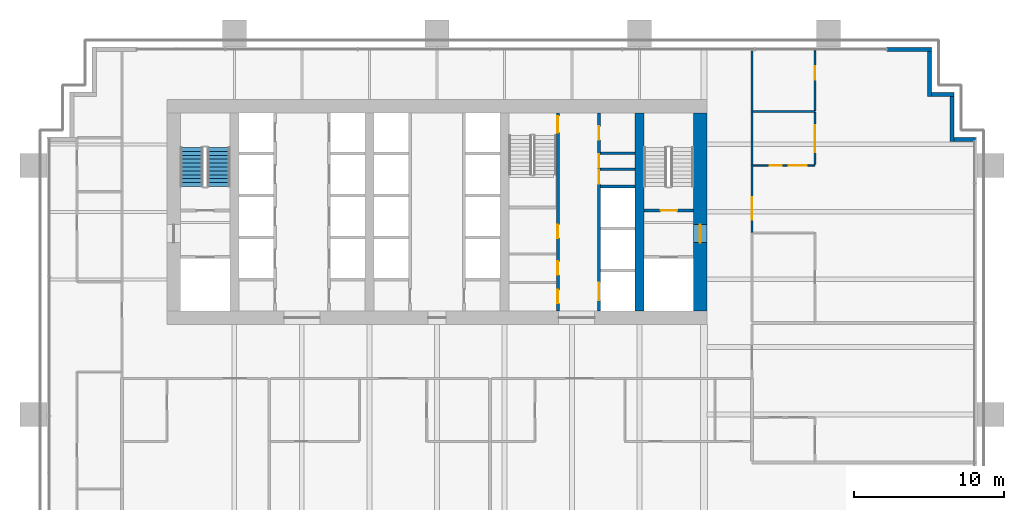
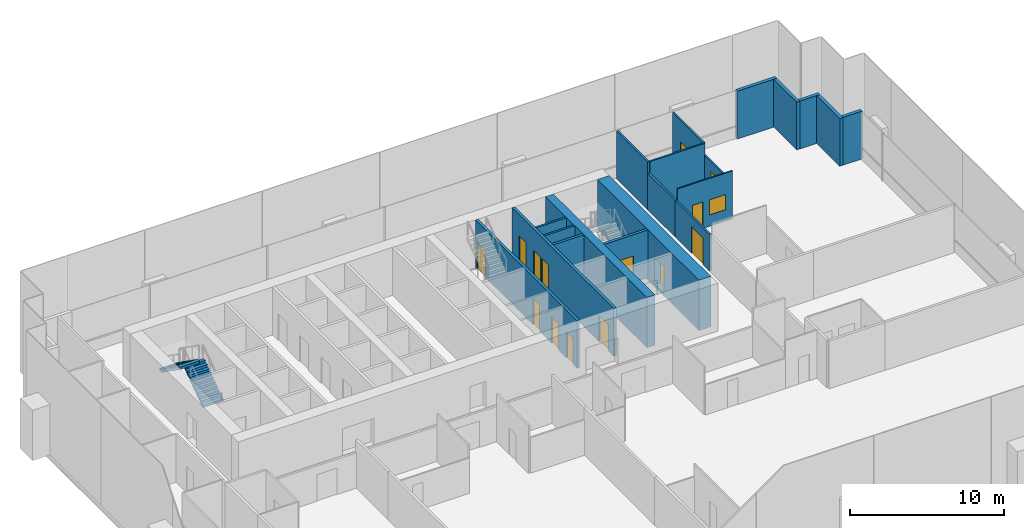
# One storey, part 15 of 19: 20 walls, 13 doors, 2 stair flights, 2 windows, 15 openings, 1 element without a shape of its own.
"""IFC4 building model written with IfcOpenShell, lengths in metres."""

from ifc_helpers import new_model, si_unit, direction, frame, frame_2d, origin, place, context, subcontext, project, spatial, polyline, rectangle, outline, extrude, material, layer, layer_set, type_object, element, fill, aggregate, save


model = new_model("IFC4")

# Units and contexts
model_context = context("Model", 3, precision=1e-05, world=origin(), true_north=direction((0.0, 1.0)))
body_context = subcontext(model_context, "Body", "Model", "MODEL_VIEW")
ifc_project = project(units=[si_unit("LENGTHUNIT", "METRE"), si_unit("AREAUNIT", "SQUARE_METRE"), si_unit("VOLUMEUNIT", "CUBIC_METRE"), si_unit("PLANEANGLEUNIT", "RADIAN"), si_unit("MASSUNIT", "GRAM", prefix="KILO")], contexts=[model_context])

# Site, building, storey
site_placement = place(None, origin())
site = spatial("IfcSite", under=ifc_project, at=site_placement, CompositionType="ELEMENT")
building_placement = place(site_placement, origin())
building = spatial("IfcBuilding", under=site, at=building_placement, Name="Rattan Terrace Tower", CompositionType="ELEMENT")
storey_placement = place(building_placement, frame((0.0, 0.0, 79.699951171875)))
storey = spatial("IfcBuildingStorey", under=building, at=storey_placement, Name="L17", CompositionType="ELEMENT", Elevation=79.699951171875)

# Walls
ifc_material_1 = material(Name="Gypsum board partition")
ifc_layer_1 = layer(ifc_material_1, 0.14990234375)
ifc_layer_set_1 = layer_set([ifc_layer_1], Name="Core partition 150")
wall_type_1 = type_object("IfcWallType", Name="Core partition 150", PredefinedType="PARTITIONING", material=ifc_layer_set_1)
for number, where, z_axis, x_axis, name in (
    (1, (10.89990234375, 2.85595703125, 0.0), (0.0, 0.0, 1.0), (1.0, 0.0, 0.0), "Riser room wall"),
    (2, (10.89990234375, 3.912109375, 0.0), (0.0, 0.0, 1.0), (1.0, 0.0, 0.0), "Riser room wall"),
):
    element("IfcWall", number, at=place(storey_placement, frame(where, z_axis=z_axis, x_axis=x_axis)), inside=storey, type_object=wall_type_1, Name=name, PredefinedType="PARTITIONING", context=body_context, shape_type="SweptSolid", body=[
        extrude(rectangle(XDim=2.300048828125, YDim=0.14990234375, at=frame_2d((1.14990234375, 0.0))), origin(), (0.0, 0.0, 1.0), 3.800048828125),
    ])

# Wall, opening, door
ifc_material_2 = material(Name="Gypsum board partition")
ifc_layer_2 = layer(ifc_material_2, 0.199951171875)
ifc_layer_set_2 = layer_set([ifc_layer_2], Name="Core partition 200")
wall_type_2 = type_object("IfcWallType", Name="Core partition 200", PredefinedType="PARTITIONING", material=ifc_layer_set_2)
wall_1_placement = place(storey_placement, frame((13.800048828125, 0.10009765625, 0.0), z_axis=(0.0, 0.0, 1.0), x_axis=(1.0, 0.0, 0.0)))
wall_1 = element("IfcWall", 3, at=wall_1_placement, inside=storey, type_object=wall_type_2, Name="Stair enclosure wall", PredefinedType="PARTITIONING", context=body_context, shape_type="SweptSolid", body=[
    extrude(rectangle(XDim=3.300048828125, YDim=0.199951171875, at=frame_2d((1.64990234375, 0.0))), origin(), (0.0, 0.0, 1.0), 3.800048828125),
])
opening_1_placement = place(wall_1_placement, frame((1.10009765625, 0.0, 0.0)))
opening_1 = element("IfcOpeningElement", 4, at=opening_1_placement, cuts=wall_1, Name="Opening L17-D004", PredefinedType="OPENING", context=body_context, shape_type="SweptSolid", body=[
    extrude(rectangle(XDim=1.10009765625, YDim=2.10009765625, at=frame_2d((0.550048828125, 1.050048828125))), frame((0.0, 0.110595703125, 0.0), z_axis=(0.0, -1.0, 0.0), x_axis=(1.0, 0.0, 0.0)), (0.0, 0.0, 1.0), 0.220947265625),
])
ifc_material_3 = material(Name="Hollow-metal fire door leaf")
door_type_1 = type_object("IfcDoorType", Name="Core stair door 1100", OperationType="NOTDEFINED", PredefinedType="DOOR", material=ifc_material_3)
door_1_placement = place(opening_1_placement, origin())
door_1 = element("IfcDoor", 5, at=door_1_placement, inside=storey, type_object=door_type_1, Name="Door L17-D004", OperationType="SINGLE_SWING_LEFT", OverallHeight=2.10009765625, OverallWidth=1.10009765625, PredefinedType="DOOR", context=body_context, shape_type="SweptSolid", body=[
    extrude(rectangle(XDim=1.10009765625, YDim=2.10009765625, at=frame_2d((0.550048828125, 1.050048828125))), frame((0.0, 0.02490234375, 0.0), z_axis=(0.0, -1.0, 0.0), x_axis=(1.0, 0.0, 0.0)), (0.0, 0.0, 1.0), 0.050048828125),
])
fill(opening_1, door_1)

# Wall, openings, doors
wall_2_placement = place(storey_placement, frame((8.050048828125, -6.60009765625, 0.0), z_axis=(0.0, 0.0, 1.0), x_axis=(0.0, 1.0, 0.0)))
wall_2 = element("IfcWall", 6, at=wall_2_placement, inside=storey, type_object=wall_type_2, Name="Lobby wall west", PredefinedType="PARTITIONING", context=body_context, shape_type="SweptSolid", body=[
    extrude(rectangle(XDim=13.2001953125, YDim=0.199951171875, at=frame_2d((6.60009765625, 0.0))), origin(), (0.0, 0.0, 1.0), 3.800048828125),
])
opening_2_placement = place(wall_2_placement, frame((0.501953125, 0.0, 0.0)))
opening_2 = element("IfcOpeningElement", 7, at=opening_2_placement, cuts=wall_2, Name="Opening L17-D011", PredefinedType="OPENING", context=body_context, shape_type="SweptSolid", body=[
    extrude(rectangle(XDim=0.89990234375, YDim=2.10009765625, at=frame_2d((0.449951171875, 1.050048828125))), frame((0.0, 0.110595703125, 0.0), z_axis=(0.0, -1.0, 0.0), x_axis=(1.0, 0.0, 0.0)), (0.0, 0.0, 1.0), 0.220947265625),
])
opening_3_placement = place(wall_2_placement, frame((2.406005859375, 0.0, 0.0)))
opening_3 = element("IfcOpeningElement", 8, at=opening_3_placement, cuts=wall_2, Name="Opening L17-D012", PredefinedType="OPENING", context=body_context, shape_type="SweptSolid", body=[
    extrude(rectangle(XDim=0.89990234375, YDim=2.10009765625, at=frame_2d((0.449951171875, 1.050048828125))), frame((0.0, 0.110595703125, 0.0), z_axis=(0.0, -1.0, 0.0), x_axis=(1.0, 0.0, 0.0)), (0.0, 0.0, 1.0), 0.220947265625),
])
opening_4_placement = place(wall_2_placement, frame((4.85400390625, 0.0, 0.0)))
opening_4 = element("IfcOpeningElement", 9, at=opening_4_placement, cuts=wall_2, Name="Opening L17-D013", PredefinedType="OPENING", context=body_context, shape_type="SweptSolid", body=[
    extrude(rectangle(XDim=0.89990234375, YDim=2.10009765625, at=frame_2d((0.449951171875, 1.050048828125))), frame((0.0, 0.110595703125, 0.0), z_axis=(0.0, -1.0, 0.0), x_axis=(1.0, 0.0, 0.0)), (0.0, 0.0, 1.0), 0.220947265625),
])
opening_5_placement = place(wall_2_placement, frame((11.89990234375, 0.0, 0.0)))
opening_5 = element("IfcOpeningElement", 10, at=opening_5_placement, cuts=wall_2, Name="Opening L17-D014", PredefinedType="OPENING", context=body_context, shape_type="SweptSolid", body=[
    extrude(rectangle(XDim=1.10009765625, YDim=2.10009765625, at=frame_2d((0.550048828125, 1.050048828125))), frame((0.0, 0.110595703125, 0.0), z_axis=(0.0, -1.0, 0.0), x_axis=(1.0, 0.0, 0.0)), (0.0, 0.0, 1.0), 0.220947265625),
])
door_2_placement = place(opening_5_placement, origin())
door_2 = element("IfcDoor", 11, at=door_2_placement, inside=storey, type_object=door_type_1, Name="Door L17-D014", OperationType="SINGLE_SWING_RIGHT", OverallHeight=2.10009765625, OverallWidth=1.10009765625, PredefinedType="DOOR", context=body_context, shape_type="SweptSolid", body=[
    extrude(rectangle(XDim=1.10009765625, YDim=2.10009765625, at=frame_2d((0.550048828125, 1.050048828125))), frame((0.0, 0.02490234375, 0.0), z_axis=(0.0, -1.0, 0.0), x_axis=(1.0, 0.0, 0.0)), (0.0, 0.0, 1.0), 0.050048828125),
])
fill(opening_5, door_2)
ifc_material_4 = material(Name="Hollow-metal fire door leaf")
door_type_2 = type_object("IfcDoorType", Name="Core toilet door 900", OperationType="NOTDEFINED", PredefinedType="DOOR", material=ifc_material_4)
door_3_placement = place(opening_2_placement, origin())
door_3 = element("IfcDoor", 12, at=door_3_placement, inside=storey, type_object=door_type_2, Name="Door L17-D011", OperationType="SINGLE_SWING_LEFT", OverallHeight=2.10009765625, OverallWidth=0.89990234375, PredefinedType="DOOR", context=body_context, shape_type="SweptSolid", body=[
    extrude(rectangle(XDim=0.89990234375, YDim=2.10009765625, at=frame_2d((0.449951171875, 1.050048828125))), frame((0.0, 0.02490234375, 0.0), z_axis=(0.0, -1.0, 0.0), x_axis=(1.0, 0.0, 0.0)), (0.0, 0.0, 1.0), 0.050048828125),
])
fill(opening_2, door_3)
door_4_placement = place(opening_3_placement, origin())
door_4 = element("IfcDoor", 13, at=door_4_placement, inside=storey, type_object=door_type_2, Name="Door L17-D012", OperationType="SINGLE_SWING_RIGHT", OverallHeight=2.10009765625, OverallWidth=0.89990234375, PredefinedType="DOOR", context=body_context, shape_type="SweptSolid", body=[
    extrude(rectangle(XDim=0.89990234375, YDim=2.10009765625, at=frame_2d((0.449951171875, 1.050048828125))), frame((0.0, 0.02490234375, 0.0), z_axis=(0.0, -1.0, 0.0), x_axis=(1.0, 0.0, 0.0)), (0.0, 0.0, 1.0), 0.050048828125),
])
fill(opening_3, door_4)
door_5_placement = place(opening_4_placement, origin())
door_5 = element("IfcDoor", 14, at=door_5_placement, inside=storey, type_object=door_type_2, Name="Door L17-D013", OperationType="SINGLE_SWING_LEFT", OverallHeight=2.10009765625, OverallWidth=0.89990234375, PredefinedType="DOOR", context=body_context, shape_type="SweptSolid", body=[
    extrude(rectangle(XDim=0.89990234375, YDim=2.10009765625, at=frame_2d((0.449951171875, 1.050048828125))), frame((0.0, 0.02490234375, 0.0), z_axis=(0.0, -1.0, 0.0), x_axis=(1.0, 0.0, 0.0)), (0.0, 0.0, 1.0), 0.050048828125),
])
fill(opening_4, door_5)

# Wall, opening, door
ifc_material_5 = material(Name="Concrete C70/85", Category="concrete")
ifc_layer_3 = layer(ifc_material_5, 0.89990234375)
ifc_layer_set_3 = layer_set([ifc_layer_3], Name="Core ring wall 900 C70/85")
wall_type_3 = type_object("IfcWallType", Name="Core ring wall 900 C70/85", PredefinedType="SHEAR", material=ifc_layer_set_3)
wall_3_placement = place(storey_placement, frame((17.550048828125, -6.60009765625, -0.199951171875), z_axis=(0.0, 0.0, 1.0), x_axis=(0.0, 1.0, 0.0)))
wall_3 = element("IfcWall", 15, at=wall_3_placement, inside=storey, type_object=wall_type_3, Name="Rear core wall east", PredefinedType="SHEAR", context=body_context, shape_type="SweptSolid", body=[
    extrude(rectangle(XDim=13.2001953125, YDim=0.89990234375, at=frame_2d((6.60009765625, 0.0))), origin(), (0.0, 0.0, 1.0), 4.0),
])
opening_6_placement = place(wall_3_placement, frame((4.550048828125, 0.0, 0.199951171875)))
opening_6 = element("IfcOpeningElement", 16, at=opening_6_placement, cuts=wall_3, Name="Opening L17-D003", PredefinedType="OPENING", context=body_context, shape_type="SweptSolid", body=[
    extrude(rectangle(XDim=1.199951171875, YDim=2.10009765625, at=frame_2d((0.60009765625, 1.050048828125))), frame((0.0, 0.46044921875, 0.0), z_axis=(0.0, -1.0, 0.0), x_axis=(1.0, 0.0, 0.0)), (0.0, 0.0, 1.0), 0.9208984375),
])
ifc_material_6 = material(Name="Hollow-metal fire door leaf")
door_type_3 = type_object("IfcDoorType", Name="Core fire-fighting lobby door 1200", OperationType="NOTDEFINED", PredefinedType="DOOR", material=ifc_material_6)
door_6_placement = place(opening_6_placement, origin())
door_6 = element("IfcDoor", 17, at=door_6_placement, inside=storey, type_object=door_type_3, Name="Door L17-D003", OperationType="SINGLE_SWING_RIGHT", OverallHeight=2.10009765625, OverallWidth=1.199951171875, PredefinedType="DOOR", context=body_context, shape_type="SweptSolid", body=[
    extrude(rectangle(XDim=1.199951171875, YDim=2.10009765625, at=frame_2d((0.60009765625, 1.050048828125))), frame((0.0, 0.02490234375, 0.0), z_axis=(0.0, -1.0, 0.0), x_axis=(1.0, 0.0, 0.0)), (0.0, 0.0, 1.0), 0.050048828125),
])
fill(opening_6, door_6)

# Walls
ifc_material_7 = material(Name="Concrete C70/85", Category="concrete")
ifc_layer_4 = layer(ifc_material_7, 0.60009765625)
ifc_layer_set_4 = layer_set([ifc_layer_4], Name="Core spine wall 600 C70/85")
wall_type_4 = type_object("IfcWallType", Name="Core spine wall 600 C70/85", PredefinedType="SHEAR", material=ifc_layer_set_4)
wall_4_placement = place(storey_placement, frame((13.5, -6.60009765625, -0.199951171875), z_axis=(0.0, 0.0, 1.0), x_axis=(0.0, 1.0, 0.0)))
element("IfcWall", 18, at=wall_4_placement, inside=storey, type_object=wall_type_4, Name="Core spine wall 4", PredefinedType="SHEAR", context=body_context, shape_type="SweptSolid", body=[
    extrude(rectangle(XDim=13.2001953125, YDim=0.60009765625, at=frame_2d((6.60009765625, 0.0))), origin(), (0.0, 0.0, 1.0), 4.0),
])
ifc_material_8 = material(Name="Insulated aluminium-clad stud wall", Category="aluminium")
ifc_layer_5 = layer(ifc_material_8, 0.25)
ifc_layer_set_5 = layer_set([ifc_layer_5], Name="Facade Riser Wall 250")
wall_type_5 = type_object("IfcWallType", Name="Facade Riser Wall 250", PredefinedType="SOLIDWALL", material=ifc_layer_set_5)
wall_5_placement = place(storey_placement, frame((35.909912109375, 4.830078125, 0.0), z_axis=(0.0, 0.0, 1.0), x_axis=(-1.0, 0.0, 0.0)))
element("IfcWall", 19, at=wall_5_placement, inside=storey, type_object=wall_type_5, Name="Riser wall L17-6", PredefinedType="SOLIDWALL", context=body_context, shape_type="SweptSolid", body=[
    extrude(rectangle(XDim=1.454833984375, YDim=0.25, at=frame_2d((0.7275390625, 0.0))), origin(), (0.0, 0.0, 1.0), 3.800048828125),
])
wall_6_placement = place(storey_placement, frame((34.330078125, 4.705078125, 0.0), z_axis=(0.0, 0.0, 1.0), x_axis=(0.0, 1.0, 0.0)))
element("IfcWall", 20, at=wall_6_placement, inside=storey, type_object=wall_type_5, Name="Riser wall L17-7", PredefinedType="SOLIDWALL", context=body_context, shape_type="SweptSolid", body=[
    extrude(rectangle(XDim=3.0, YDim=0.25, at=frame_2d((1.5, 0.0))), origin(), (0.0, 0.0, 1.0), 3.800048828125),
])
wall_7_placement = place(storey_placement, frame((34.455078125, 7.830078125, 0.0), z_axis=(0.0, 0.0, 1.0), x_axis=(-1.0, 0.0, 0.0)))
element("IfcWall", 21, at=wall_7_placement, inside=storey, type_object=wall_type_5, Name="Riser wall L17-8", PredefinedType="SOLIDWALL", context=body_context, shape_type="SweptSolid", body=[
    extrude(rectangle(XDim=1.5, YDim=0.25, at=frame_2d((0.75, 0.0))), origin(), (0.0, 0.0, 1.0), 3.800048828125),
])
wall_8_placement = place(storey_placement, frame((32.830078125, 7.705078125, 0.0), z_axis=(0.0, 0.0, 1.0), x_axis=(0.0, 1.0, 0.0)))
element("IfcWall", 22, at=wall_8_placement, inside=storey, type_object=wall_type_5, Name="Riser wall L17-9", PredefinedType="SOLIDWALL", context=body_context, shape_type="SweptSolid", body=[
    extrude(rectangle(XDim=3.0, YDim=0.25, at=frame_2d((1.5, 0.0))), origin(), (0.0, 0.0, 1.0), 3.800048828125),
])
wall_9_placement = place(storey_placement, frame((32.955078125, 10.830078125, 0.0), z_axis=(0.0, 0.0, 1.0), x_axis=(-1.0, 0.0, 0.0)))
element("IfcWall", 23, at=wall_9_placement, inside=storey, type_object=wall_type_5, Name="Riser wall L17-10", PredefinedType="SOLIDWALL", context=body_context, shape_type="SweptSolid", body=[
    extrude(rectangle(XDim=2.955078125, YDim=0.25, at=frame_2d((1.4775390625, 0.0))), origin(), (0.0, 0.0, 1.0), 3.800048828125),
])

# Wall, openings, door, window
ifc_material_9 = material(Name="Gypsum board partition on steel studs", Category="steel")
ifc_layer_6 = layer(ifc_material_9, 0.10009765625)
ifc_layer_set_6 = layer_set([ifc_layer_6], Name="Floors Partition 100")
wall_type_6 = type_object("IfcWallType", Name="Floors Partition 100", PredefinedType="PARTITIONING", material=ifc_layer_set_6)
wall_10_placement = place(storey_placement, frame((21.074951171875, 3.10009765625, 0.0), z_axis=(0.0, 0.0, 1.0), x_axis=(1.0, 0.0, 0.0)))
wall_10 = element("IfcWall", 24, at=wall_10_placement, inside=storey, type_object=wall_type_6, Name="pt-L17-067", PredefinedType="PARTITIONING", context=body_context, shape_type="SweptSolid", body=[
    extrude(rectangle(XDim=4.125, YDim=0.10009765625, at=frame_2d((2.0625, 0.0))), origin(), (0.0, 0.0, 1.0), 3.800048828125),
])
opening_7_placement = place(wall_10_placement, frame((1.097900390625, 0.0, 0.0)))
opening_7 = element("IfcOpeningElement", 25, at=opening_7_placement, cuts=wall_10, Name="Opening L17-D120", PredefinedType="OPENING", context=body_context, shape_type="SweptSolid", body=[
    extrude(rectangle(XDim=0.800048828125, YDim=2.10009765625, at=frame_2d((0.39990234375, 1.050048828125))), frame((0.0, 0.060546875, 0.0), z_axis=(0.0, -1.0, 0.0), x_axis=(1.0, 0.0, 0.0)), (0.0, 0.0, 1.0), 0.12109375),
])
opening_8_placement = place(wall_10_placement, frame((2.385986328125, 0.0, 0.89990234375)))
opening_8 = element("IfcOpeningElement", 26, at=opening_8_placement, cuts=wall_10, Name="Opening L17-W102", PredefinedType="OPENING", context=body_context, shape_type="SweptSolid", body=[
    extrude(rectangle(XDim=1.199951171875, YDim=1.199951171875, at=frame_2d((0.60009765625, 0.60009765625))), frame((0.0, 0.060546875, 0.0), z_axis=(0.0, -1.0, 0.0), x_axis=(1.0, 0.0, 0.0)), (0.0, 0.0, 1.0), 0.12109375),
])
ifc_material_10 = material(Name="Solid core timber door, painted", Category="wood")
door_type_4 = type_object("IfcDoorType", Name="Floors Store Door 800x2100", OperationType="NOTDEFINED", PredefinedType="DOOR", material=ifc_material_10)
door_7_placement = place(opening_7_placement, origin())
door_7 = element("IfcDoor", 27, at=door_7_placement, inside=storey, type_object=door_type_4, Name="d-L17-120", OperationType="SINGLE_SWING_LEFT", OverallHeight=2.10009765625, OverallWidth=0.800048828125, PredefinedType="DOOR", context=body_context, shape_type="SweptSolid", body=[
    extrude(rectangle(XDim=0.800048828125, YDim=2.10009765625, at=frame_2d((0.39990234375, 1.050048828125))), frame((0.0, 0.02490234375, 0.0), z_axis=(0.0, -1.0, 0.0), x_axis=(1.0, 0.0, 0.0)), (0.0, 0.0, 1.0), 0.050048828125),
])
fill(opening_7, door_7)
ifc_material_11 = material(Name="Glass, clear, fixed in aluminium frame", Category="aluminium")
window_type_1 = type_object("IfcWindowType", Name="Interior Vision Window 1200x1200", PartitioningType="SINGLE_PANEL", PredefinedType="WINDOW", material=ifc_material_11)
window_1_placement = place(opening_8_placement, origin())
window_1 = element("IfcWindow", 28, at=window_1_placement, inside=storey, type_object=window_type_1, Name="w-L17-102", OverallHeight=1.199951171875, OverallWidth=1.199951171875, PartitioningType="SINGLE_PANEL", PredefinedType="WINDOW", context=body_context, shape_type="SweptSolid", body=[
    extrude(rectangle(XDim=1.199951171875, YDim=1.199951171875, at=frame_2d((0.60009765625, 0.60009765625))), frame((0.0, 0.030029296875, 0.0), z_axis=(0.0, -1.0, 0.0), x_axis=(1.0, 0.0, 0.0)), (0.0, 0.0, 1.0), 0.06005859375),
])
fill(opening_8, window_1)

# Wall, opening, window
wall_11_placement = place(storey_placement, frame((25.199951171875, 3.14990234375, 0.0), z_axis=(0.0, 0.0, 1.0), x_axis=(0.0, 1.0, 0.0)))
wall_11 = element("IfcWall", 29, at=wall_11_placement, inside=storey, type_object=wall_type_6, Name="pt-L17-068", PredefinedType="PARTITIONING", context=body_context, shape_type="SweptSolid", body=[
    extrude(rectangle(XDim=3.530029296875, YDim=0.10009765625, at=frame_2d((1.76513671875, 0.0))), origin(), (0.0, 0.0, 1.0), 2.900146484375),
])
opening_9_placement = place(wall_11_placement, frame((0.844970703125, 0.0, 0.89990234375)))
opening_9 = element("IfcOpeningElement", 30, at=opening_9_placement, cuts=wall_11, Name="Opening L17-W103", PredefinedType="OPENING", context=body_context, shape_type="SweptSolid", body=[
    extrude(rectangle(XDim=1.800048828125, YDim=1.199951171875, at=frame_2d((0.89990234375, 0.60009765625))), frame((0.0, 0.060546875, 0.0), z_axis=(0.0, -1.0, 0.0), x_axis=(1.0, 0.0, 0.0)), (0.0, 0.0, 1.0), 0.12109375),
])
ifc_material_12 = material(Name="Glass, clear, fixed in aluminium frame", Category="aluminium")
window_type_2 = type_object("IfcWindowType", Name="Interior Vision Window 1800x1200", PartitioningType="SINGLE_PANEL", PredefinedType="WINDOW", material=ifc_material_12)
window_2_placement = place(opening_9_placement, origin())
window_2 = element("IfcWindow", 31, at=window_2_placement, inside=storey, type_object=window_type_2, Name="w-L17-103", OverallHeight=1.199951171875, OverallWidth=1.800048828125, PartitioningType="SINGLE_PANEL", PredefinedType="WINDOW", context=body_context, shape_type="SweptSolid", body=[
    extrude(rectangle(XDim=1.800048828125, YDim=1.199951171875, at=frame_2d((0.89990234375, 0.60009765625))), frame((0.0, 0.030029296875, 0.0), z_axis=(0.0, -1.0, 0.0), x_axis=(1.0, 0.0, 0.0)), (0.0, 0.0, 1.0), 0.06005859375),
])
fill(opening_9, window_2)

# Wall, opening, door
ifc_material_13 = material(Name="Gypsum board partition on steel studs, fire rated", Category="steel")
ifc_layer_7 = layer(ifc_material_13, 0.14990234375)
ifc_layer_set_7 = layer_set([ifc_layer_7], Name="Floors Tenancy Wall 150")
wall_type_7 = type_object("IfcWallType", Name="Floors Tenancy Wall 150", PredefinedType="PARTITIONING", material=ifc_layer_set_7)
wall_12_placement = place(storey_placement, frame((21.0, 3.1201171875, 0.0), z_axis=(0.0, 0.0, 1.0), x_axis=(0.0, -1.0, 0.0)))
wall_12 = element("IfcWall", 32, at=wall_12_placement, inside=storey, type_object=wall_type_7, Name="pt-L17-016", PredefinedType="PARTITIONING", context=body_context, shape_type="SweptSolid", body=[
    extrude(rectangle(XDim=4.5, YDim=0.14990234375, at=frame_2d((2.25, 0.0))), origin(), (0.0, 0.0, 1.0), 2.900146484375),
])
opening_10_placement = place(wall_12_placement, frame((2.125, 0.0, 0.0)))
opening_10 = element("IfcOpeningElement", 33, at=opening_10_placement, cuts=wall_12, Name="Opening L17-D118", PredefinedType="OPENING", context=body_context, shape_type="SweptSolid", body=[
    extrude(rectangle(XDim=1.5, YDim=2.10009765625, at=frame_2d((0.75, 1.050048828125))), frame((0.0, 0.08544921875, 0.0), z_axis=(0.0, -1.0, 0.0), x_axis=(1.0, 0.0, 0.0)), (0.0, 0.0, 1.0), 0.1708984375),
])
ifc_material_14 = material(Name="Steel fire door set", Category="steel")
door_type_5 = type_object("IfcDoorType", Name="Floors Unit Door Pair FD30S 1500x2100", OperationType="NOTDEFINED", PredefinedType="DOOR", material=ifc_material_14)
door_8_placement = place(opening_10_placement, origin())
door_8 = element("IfcDoor", 34, at=door_8_placement, inside=storey, type_object=door_type_5, Name="d-L17-118", OperationType="DOUBLE_DOOR_SINGLE_SWING", OverallHeight=2.10009765625, OverallWidth=1.5, PredefinedType="DOOR", context=body_context, shape_type="SweptSolid", body=[
    extrude(rectangle(XDim=1.5, YDim=2.10009765625, at=frame_2d((0.75, 1.050048828125))), frame((0.0, 0.02490234375, 0.0), z_axis=(0.0, -1.0, 0.0), x_axis=(1.0, 0.0, 0.0)), (0.0, 0.0, 1.0), 0.050048828125),
])
fill(opening_10, door_8)

# Walls
wall_13_placement = place(storey_placement, frame((21.0, 6.679931640625, 0.0), z_axis=(0.0, 0.0, 1.0), x_axis=(0.0, -1.0, 0.0)))
element("IfcWall", 35, at=wall_13_placement, inside=storey, type_object=wall_type_7, Name="pt-L17-018", PredefinedType="PARTITIONING", context=body_context, shape_type="SweptSolid", body=[
    extrude(rectangle(XDim=3.559814453125, YDim=0.14990234375, at=frame_2d((1.77978515625, 0.0))), origin(), (0.0, 0.0, 1.0), 2.900146484375),
])
wall_14_placement = place(storey_placement, frame((21.0, 10.739990234375, 0.0), z_axis=(0.0, 0.0, 1.0), x_axis=(0.0, -1.0, 0.0)))
element("IfcWall", 36, at=wall_14_placement, inside=storey, type_object=wall_type_7, Name="pt-L17-019", PredefinedType="PARTITIONING", context=body_context, shape_type="SweptSolid", body=[
    extrude(rectangle(XDim=4.06005859375, YDim=0.14990234375, at=frame_2d((2.030029296875, 0.0))), origin(), (0.0, 0.0, 1.0), 3.800048828125),
])

# Wall, opening, door
ifc_material_15 = material(Name="Moisture resistant gypsum board partition on steel studs with service cavity", Category="steel")
ifc_layer_8 = layer(ifc_material_15, 0.1201171875)
ifc_layer_set_8 = layer_set([ifc_layer_8], Name="Floors Wet Wall 120")
wall_type_8 = type_object("IfcWallType", Name="Floors Wet Wall 120", PredefinedType="PARTITIONING", material=ifc_layer_set_8)
wall_15_placement = place(storey_placement, frame((25.199951171875, 6.760009765625, 0.0), z_axis=(0.0, 0.0, 1.0), x_axis=(0.0, 1.0, 0.0)))
wall_15 = element("IfcWall", 37, at=wall_15_placement, inside=storey, type_object=wall_type_8, Name="pt-L17-069", PredefinedType="PARTITIONING", context=body_context, shape_type="SweptSolid", body=[
    extrude(rectangle(XDim=3.97998046875, YDim=0.1201171875, at=frame_2d((1.989990234375, 0.0))), origin(), (0.0, 0.0, 1.0), 3.800048828125),
])
opening_11_placement = place(wall_15_placement, frame((2.055908203125, 0.0, 0.0)))
opening_11 = element("IfcOpeningElement", 38, at=opening_11_placement, cuts=wall_15, Name="Opening L17-D121", PredefinedType="OPENING", context=body_context, shape_type="SweptSolid", body=[
    extrude(rectangle(XDim=0.89990234375, YDim=2.10009765625, at=frame_2d((0.449951171875, 1.050048828125))), frame((0.0, 0.070556640625, 0.0), z_axis=(0.0, -1.0, 0.0), x_axis=(1.0, 0.0, 0.0)), (0.0, 0.0, 1.0), 0.14111328125),
])
ifc_material_16 = material(Name="Solid core timber door, painted", Category="wood")
door_type_6 = type_object("IfcDoorType", Name="Floors Door 900x2100", OperationType="NOTDEFINED", PredefinedType="DOOR", material=ifc_material_16)
door_9_placement = place(opening_11_placement, origin())
door_9 = element("IfcDoor", 39, at=door_9_placement, inside=storey, type_object=door_type_6, Name="d-L17-121", OperationType="SINGLE_SWING_RIGHT", OverallHeight=2.10009765625, OverallWidth=0.89990234375, PredefinedType="DOOR", context=body_context, shape_type="SweptSolid", body=[
    extrude(rectangle(XDim=0.89990234375, YDim=2.10009765625, at=frame_2d((0.449951171875, 1.050048828125))), frame((0.0, 0.02490234375, 0.0), z_axis=(0.0, -1.0, 0.0), x_axis=(1.0, 0.0, 0.0)), (0.0, 0.0, 1.0), 0.050048828125),
])
fill(opening_11, door_9)

# Wall
wall_16_placement = place(storey_placement, frame((21.074951171875, 6.699951171875, 0.0), z_axis=(0.0, 0.0, 1.0), x_axis=(1.0, 0.0, 0.0)))
element("IfcWall", 40, at=wall_16_placement, inside=storey, type_object=wall_type_8, Name="pt-L17-070", PredefinedType="PARTITIONING", context=body_context, shape_type="SweptSolid", body=[
    extrude(rectangle(XDim=4.125, YDim=0.1201171875, at=frame_2d((2.0625, 0.0))), origin(), (0.0, 0.0, 1.0), 3.800048828125),
])

# Wall, openings, doors
ifc_material_17 = material(Name="Gypsum shaft wall system")
ifc_layer_9 = layer(ifc_material_17, 0.199951171875)
ifc_layer_set_9 = layer_set([ifc_layer_9], Name="Lift shaft wall 200")
wall_type_9 = type_object("IfcWallType", Name="Lift shaft wall 200", PredefinedType="PARTITIONING", material=ifc_layer_set_9)
wall_17_placement = place(storey_placement, frame((10.800048828125, -6.60009765625, 0.0), z_axis=(0.0, 0.0, 1.0), x_axis=(0.0, 1.0, 0.0)))
wall_17 = element("IfcWall", 41, at=wall_17_placement, inside=storey, type_object=wall_type_9, Name="Lift shaft front wall", PredefinedType="PARTITIONING", context=body_context, shape_type="SweptSolid", body=[
    extrude(rectangle(XDim=13.2001953125, YDim=0.199951171875, at=frame_2d((6.60009765625, 0.0))), origin(), (0.0, 0.0, 1.0), 3.800048828125),
])
opening_12_placement = place(wall_17_placement, frame((0.699951171875, 0.0, 0.0)))
opening_12 = element("IfcOpeningElement", 42, at=opening_12_placement, cuts=wall_17, Name="Opening L17-LD-SV1", PredefinedType="OPENING", context=body_context, shape_type="SweptSolid", body=[
    extrude(rectangle(XDim=1.199951171875, YDim=2.10009765625, at=frame_2d((0.60009765625, 1.050048828125))), frame((0.0, 0.110595703125, 0.0), z_axis=(0.0, -1.0, 0.0), x_axis=(1.0, 0.0, 0.0)), (0.0, 0.0, 1.0), 0.220947265625),
])
opening_13_placement = place(wall_17_placement, frame((8.47802734375, 0.0, 0.0)))
opening_13 = element("IfcOpeningElement", 43, at=opening_13_placement, cuts=wall_17, Name="Opening L17-D016", PredefinedType="OPENING", context=body_context, shape_type="SweptSolid", body=[
    extrude(rectangle(XDim=0.89990234375, YDim=2.10009765625, at=frame_2d((0.449951171875, 1.050048828125))), frame((0.0, 0.110595703125, 0.0), z_axis=(0.0, -1.0, 0.0), x_axis=(1.0, 0.0, 0.0)), (0.0, 0.0, 1.0), 0.220947265625),
])
opening_14_placement = place(wall_17_placement, frame((9.533935546875, 0.0, 0.0)))
opening_14 = element("IfcOpeningElement", 44, at=opening_14_placement, cuts=wall_17, Name="Opening L17-D017", PredefinedType="OPENING", context=body_context, shape_type="SweptSolid", body=[
    extrude(rectangle(XDim=0.89990234375, YDim=2.10009765625, at=frame_2d((0.449951171875, 1.050048828125))), frame((0.0, 0.110595703125, 0.0), z_axis=(0.0, -1.0, 0.0), x_axis=(1.0, 0.0, 0.0)), (0.0, 0.0, 1.0), 0.220947265625),
])
opening_15_placement = place(wall_17_placement, frame((11.406005859375, 0.0, 0.0)))
opening_15 = element("IfcOpeningElement", 45, at=opening_15_placement, cuts=wall_17, Name="Opening L17-D018", PredefinedType="OPENING", context=body_context, shape_type="SweptSolid", body=[
    extrude(rectangle(XDim=0.89990234375, YDim=2.10009765625, at=frame_2d((0.449951171875, 1.050048828125))), frame((0.0, 0.110595703125, 0.0), z_axis=(0.0, -1.0, 0.0), x_axis=(1.0, 0.0, 0.0)), (0.0, 0.0, 1.0), 0.220947265625),
])
ifc_material_18 = material(Name="Brushed stainless landing door panel")
door_type_7 = type_object("IfcDoorType", Name="Core lift landing door 1200", OperationType="DOUBLE_DOOR_SLIDING", PredefinedType="DOOR", material=ifc_material_18)
door_10_placement = place(opening_12_placement, origin())
door_10 = element("IfcDoor", 46, at=door_10_placement, inside=storey, type_object=door_type_7, Name="Door L17-LD-SV1", OperationType="DOUBLE_DOOR_SLIDING", OverallHeight=2.10009765625, OverallWidth=1.199951171875, PredefinedType="DOOR", context=body_context, shape_type="SweptSolid", body=[
    extrude(rectangle(XDim=1.199951171875, YDim=2.10009765625, at=frame_2d((0.60009765625, 1.050048828125))), frame((0.0, 0.02490234375, 0.0), z_axis=(0.0, -1.0, 0.0), x_axis=(1.0, 0.0, 0.0)), (0.0, 0.0, 1.0), 0.050048828125),
])
fill(opening_12, door_10)
ifc_material_19 = material(Name="Hollow-metal fire door leaf")
door_type_8 = type_object("IfcDoorType", Name="Core riser door 900", OperationType="NOTDEFINED", PredefinedType="DOOR", material=ifc_material_19)
door_11_placement = place(opening_13_placement, origin())
door_11 = element("IfcDoor", 47, at=door_11_placement, inside=storey, type_object=door_type_8, Name="Door L17-D016", OperationType="SINGLE_SWING_LEFT", OverallHeight=2.10009765625, OverallWidth=0.89990234375, PredefinedType="DOOR", context=body_context, shape_type="SweptSolid", body=[
    extrude(rectangle(XDim=0.89990234375, YDim=2.10009765625, at=frame_2d((0.449951171875, 1.050048828125))), frame((0.0, 0.02490234375, 0.0), z_axis=(0.0, -1.0, 0.0), x_axis=(1.0, 0.0, 0.0)), (0.0, 0.0, 1.0), 0.050048828125),
])
fill(opening_13, door_11)
door_12_placement = place(opening_14_placement, origin())
door_12 = element("IfcDoor", 48, at=door_12_placement, inside=storey, type_object=door_type_8, Name="Door L17-D017", OperationType="SINGLE_SWING_RIGHT", OverallHeight=2.10009765625, OverallWidth=0.89990234375, PredefinedType="DOOR", context=body_context, shape_type="SweptSolid", body=[
    extrude(rectangle(XDim=0.89990234375, YDim=2.10009765625, at=frame_2d((0.449951171875, 1.050048828125))), frame((0.0, 0.02490234375, 0.0), z_axis=(0.0, -1.0, 0.0), x_axis=(1.0, 0.0, 0.0)), (0.0, 0.0, 1.0), 0.050048828125),
])
fill(opening_14, door_12)
ifc_material_20 = material(Name="Hollow-metal fire door leaf")
door_type_9 = type_object("IfcDoorType", Name="Core service room door 900", OperationType="NOTDEFINED", PredefinedType="DOOR", material=ifc_material_20)
door_13_placement = place(opening_15_placement, origin())
door_13 = element("IfcDoor", 49, at=door_13_placement, inside=storey, type_object=door_type_9, Name="Door L17-D018", OperationType="SINGLE_SWING_LEFT", OverallHeight=2.10009765625, OverallWidth=0.89990234375, PredefinedType="DOOR", context=body_context, shape_type="SweptSolid", body=[
    extrude(rectangle(XDim=0.89990234375, YDim=2.10009765625, at=frame_2d((0.449951171875, 1.050048828125))), frame((0.0, 0.02490234375, 0.0), z_axis=(0.0, -1.0, 0.0), x_axis=(1.0, 0.0, 0.0)), (0.0, 0.0, 1.0), 0.050048828125),
])
fill(opening_15, door_13)

# Wall
wall_18_placement = place(storey_placement, frame((10.89990234375, 1.699951171875, 0.0), z_axis=(0.0, 0.0, 1.0), x_axis=(1.0, 0.0, 0.0)))
element("IfcWall", 50, at=wall_18_placement, inside=storey, type_object=wall_type_9, Name="Lift shaft wall", PredefinedType="PARTITIONING", context=body_context, shape_type="SweptSolid", body=[
    extrude(rectangle(XDim=2.300048828125, YDim=0.199951171875, at=frame_2d((1.14990234375, 0.0))), origin(), (0.0, 0.0, 1.0), 3.800048828125),
])

# Stair, stair flights
ifc_material_21 = material(Name="Concrete C40/50", Category="concrete")
stair_type = type_object("IfcStairType", Name="Core exit stair 1500", PredefinedType="HALF_TURN_STAIR", material=ifc_material_21)
stair_placement = place(storey_placement, origin())
stair = element("IfcStair", 51, at=stair_placement, inside=storey, type_object=stair_type, Name="L17 exit stair 1", PredefinedType="HALF_TURN_STAIR")
ifc_material_22 = material(Name="Concrete C40/50", Category="concrete")
stair_flight_type = type_object("IfcStairFlightType", Name="Core exit stair flight 1500", PredefinedType="STRAIGHT", material=ifc_material_22)
stair_flight_1_placement = place(storey_placement, frame((-14.550048828125, 1.699951171875, 0.0), z_axis=(0.0, 0.0, 1.0), x_axis=(0.0, 1.0, 0.0)))
stair_flight_1 = element("IfcStairFlight", 52, at=stair_flight_1_placement, type_object=stair_flight_type, Name="S1 flight 1", NumberOfRisers=11, NumberOfTreads=10, PredefinedType="STRAIGHT", RiserHeight=0.181818182, TreadLength=0.26, context=body_context, shape_type="SweptSolid", body=[
    extrude(outline(polyline([(0.0, 0.0), (0.0, 0.181884765625), (0.260009765625, 0.181884765625), (0.260009765625, 0.363525390625), (0.52001953125, 0.363525390625), (0.52001953125, 0.54541015625), (0.780029296875, 0.54541015625), (0.780029296875, 0.727294921875), (1.0400390625, 0.727294921875), (1.0400390625, 0.9091796875), (1.300048828125, 0.9091796875), (1.300048828125, 1.0908203125), (1.56005859375, 1.0908203125), (1.56005859375, 1.272705078125), (1.820068359375, 1.272705078125), (1.820068359375, 1.45458984375), (2.080078125, 1.45458984375), (2.080078125, 1.636474609375), (2.340087890625, 1.636474609375), (2.340087890625, 1.818115234375), (2.60009765625, 1.818115234375), (2.60009765625, 2.0), (2.60009765625, 1.63525390625), (0.261474609375, 0.0), (0.0, 0.0)])), frame((0.0, 0.75, 0.0), z_axis=(0.0, -1.0, 0.0), x_axis=(1.0, 0.0, 0.0)), (0.0, 0.0, 1.0), 1.5),
])
stair_flight_2_placement = place(storey_placement, frame((-16.35009765625, 4.300048828125, 2.0), z_axis=(0.0, 0.0, 1.0), x_axis=(0.0, -1.0, 0.0)))
stair_flight_2 = element("IfcStairFlight", 53, at=stair_flight_2_placement, type_object=stair_flight_type, Name="S1 flight 2", NumberOfRisers=11, NumberOfTreads=10, PredefinedType="STRAIGHT", RiserHeight=0.181818182, TreadLength=0.26, context=body_context, shape_type="SweptSolid", body=[
    extrude(outline(polyline([(0.0, 0.0), (0.0, 0.181884765625), (0.260009765625, 0.181884765625), (0.260009765625, 0.363525390625), (0.52001953125, 0.363525390625), (0.52001953125, 0.54541015625), (0.780029296875, 0.54541015625), (0.780029296875, 0.727294921875), (1.0400390625, 0.727294921875), (1.0400390625, 0.9091796875), (1.300048828125, 0.9091796875), (1.300048828125, 1.0908203125), (1.56005859375, 1.0908203125), (1.56005859375, 1.272705078125), (1.820068359375, 1.272705078125), (1.820068359375, 1.45458984375), (2.080078125, 1.45458984375), (2.080078125, 1.636474609375), (2.340087890625, 1.636474609375), (2.340087890625, 1.818115234375), (2.60009765625, 1.818115234375), (2.60009765625, 2.0), (2.60009765625, 1.63525390625), (0.261474609375, 0.0), (0.0, 0.0)])), frame((0.0, 0.75, 0.0), z_axis=(0.0, -1.0, 0.0), x_axis=(1.0, 0.0, 0.0)), (0.0, 0.0, 1.0), 1.5),
])
aggregate(stair, [stair_flight_1, stair_flight_2])

save(model, "model.ifc")
